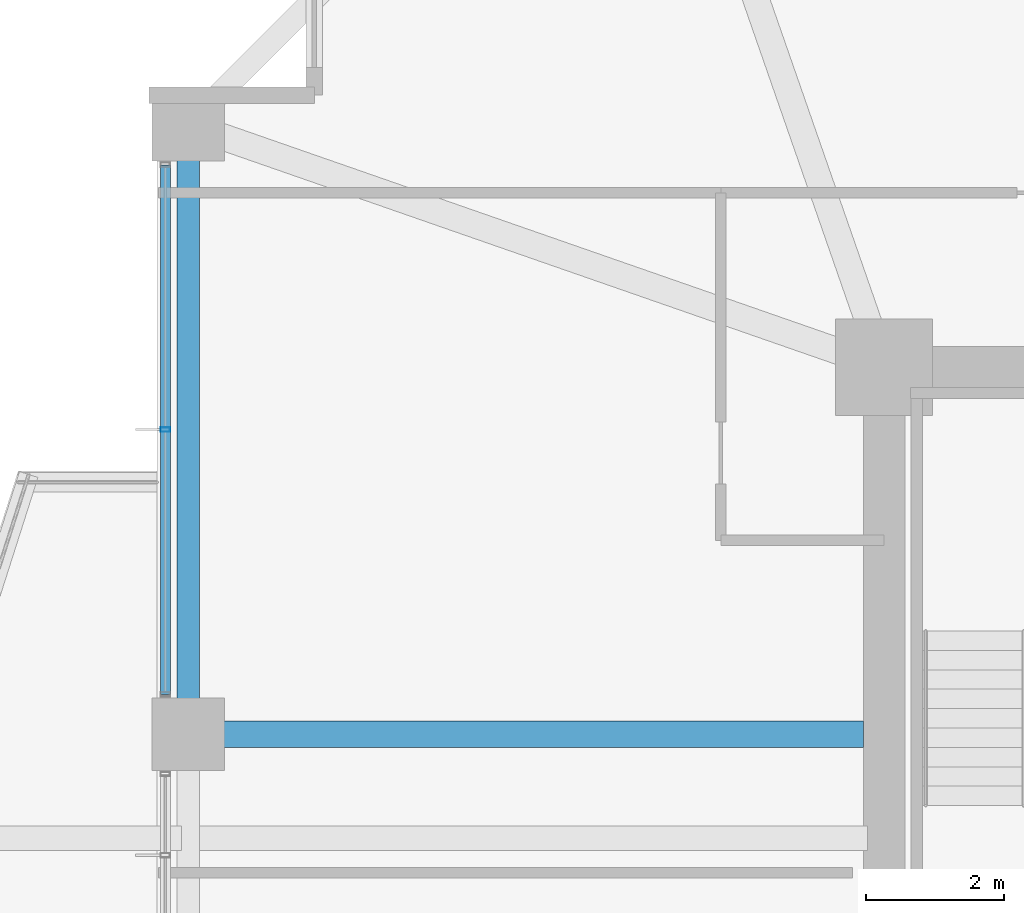
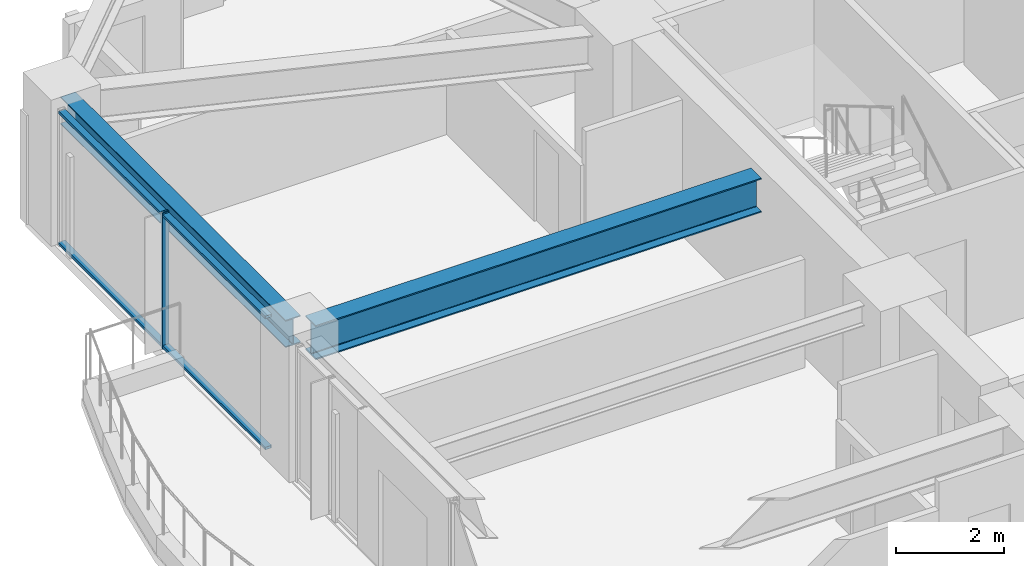
# One storey, part 10 of 36: 3 members, 2 beams, 1 element without a shape of its own.
"""IFC4 building model written with IfcOpenShell, lengths in metres."""

from ifc_helpers import new_model, si_unit, direction, frame, origin, origin_2d, place, context, subcontext, project, spatial, hollow_rectangle, i_section, extrude, material, material_profile, profile_set, type_object, element, aggregate, save


model = new_model("IFC4")

# Units and contexts
model_context = context("Model", 3, precision=1e-05, world=origin(), true_north=direction((0.0, 1.0)))
body_context = subcontext(model_context, "Body", "Model", "MODEL_VIEW")
ifc_project = project(units=[si_unit("LENGTHUNIT", "METRE"), si_unit("AREAUNIT", "SQUARE_METRE"), si_unit("VOLUMEUNIT", "CUBIC_METRE"), si_unit("PLANEANGLEUNIT", "RADIAN"), si_unit("MASSUNIT", "GRAM", prefix="KILO")], contexts=[model_context])

# Site, building, storey
site_placement = place(None, origin())
site = spatial("IfcSite", under=ifc_project, at=site_placement, CompositionType="ELEMENT")
building_placement = place(site_placement, origin())
building = spatial("IfcBuilding", under=site, at=building_placement, Name="Kolvaren Belvedere", CompositionType="ELEMENT")
storey_placement = place(building_placement, frame((0.0, 0.0, 88.699951171875)))
storey = spatial("IfcBuildingStorey", under=building, at=storey_placement, Name="L25", CompositionType="ELEMENT", Elevation=88.699951171875)

# Beams
ifc_material_1 = material(Name="Structural steel ASTM A992 Grade 50", Category="steel")
ifc_material_profile_1 = material_profile(ifc_material_1, i_section(OverallWidth=0.381103515625, OverallDepth=0.77294921875, WebThickness=0.0166015625, FlangeThickness=0.027099609375, FilletRadius=0.02392578125, at=origin_2d()), Name="W30X173")
ifc_profile_set_1 = profile_set([ifc_material_profile_1], Name="Structural steel ASTM A992 Grade 50")
beam_type_1 = type_object("IfcBeamType", Name="BM-GIRD-W30X173", PredefinedType="BEAM", material=ifc_profile_set_1)
beam_1_placement = place(storey_placement, frame((-10.199951171875, 4.60009765625, 2.693603515625), z_axis=(-1.0, 0.0, 0.0), x_axis=(0.0, -1.0, 0.0)))
element("IfcBeam", 1, at=beam_1_placement, inside=storey, type_object=beam_type_1, Name="L25 West Radial Girder P", PredefinedType="BEAM", context=body_context, shape_type="SweptSolid", body=[
    extrude(i_section(OverallWidth=0.381103515625, OverallDepth=0.77294921875, WebThickness=0.0166015625, FlangeThickness=0.027099609375, FilletRadius=0.02392578125, at=origin_2d()), origin(), (0.0, 0.0, 1.0), 9.513916015625),
])
ifc_material_2 = material(Name="Structural steel ASTM A992 Grade 50", Category="steel")
ifc_material_profile_2 = material_profile(ifc_material_2, i_section(OverallWidth=0.324951171875, OverallDepth=0.615966796875, WebThickness=0.013916015625, FlangeThickness=0.021484375, FilletRadius=0.02001953125, at=origin_2d()), Name="W24X117")
ifc_profile_set_2 = profile_set([ifc_material_profile_2], Name="Structural steel ASTM A992 Grade 50")
beam_type_2 = type_object("IfcBeamType", Name="BM-SPAN-W24X117", PredefinedType="SPANDREL", material=ifc_profile_set_2)
beam_2_placement = place(storey_placement, frame((-19.949951171875, 13.163818359375, 2.77197265625), z_axis=(0.0, -1.0, 0.0), x_axis=(1.0, 0.0, 0.0)))
element("IfcBeam", 2, at=beam_2_placement, inside=storey, type_object=beam_type_2, Name="L25 Perimeter Spandrel W4-W3", PredefinedType="SPANDREL", context=body_context, shape_type="SweptSolid", body=[
    extrude(i_section(OverallWidth=0.324951171875, OverallDepth=0.615966796875, WebThickness=0.013916015625, FlangeThickness=0.021484375, FilletRadius=0.02001953125, at=origin_2d()), origin(), (0.0, 0.0, 1.0), 8.32763671875),
])

# Curtain wall, members
ifc_material_3 = material(Name="Anodised pale-metal aluminium AA 6063-T6", Category="aluminium")
curtain_wall_type = type_object("IfcCurtainWallType", Name="CW-Z2-MID", PredefinedType="NOTDEFINED", material=ifc_material_3)
curtain_wall_placement = place(storey_placement, origin())
curtain_wall = element("IfcCurtainWall", 3, at=curtain_wall_placement, inside=storey, type_object=curtain_wall_type, Name="L25 Unitised Curtain Wall FCW-L25-W2-B2", PredefinedType="NOTDEFINED")
ifc_material_4 = material(Name="Anodised pale-metal aluminium AA 6063-T6", Category="aluminium")
ifc_material_profile_3 = material_profile(ifc_material_4, hollow_rectangle(XDim=0.06494140625, YDim=0.139892578125, WallThickness=0.00390625, at=origin_2d()), Name="ALU-MUL-140X65")
ifc_profile_set_3 = profile_set([ifc_material_profile_3], Name="Anodised pale-metal aluminium AA 6063-T6")
member_type_1 = type_object("IfcMemberType", Name="CW-MUL-140", PredefinedType="MULLION", material=ifc_profile_set_3)
member_1_placement = place(storey_placement, frame((-20.280029296875, 9.0, 0.0), z_axis=(0.0, 0.0, 1.0), x_axis=(0.0, 1.0, 0.0)))
member_1 = element("IfcMember", 4, at=member_1_placement, type_object=member_type_1, Name="FCW-L25-W2-B2 Unitised Mullion 2", PredefinedType="MULLION", context=body_context, shape_type="SweptSolid", body=[
    extrude(hollow_rectangle(XDim=0.06494140625, YDim=0.139892578125, WallThickness=0.00390625, at=origin_2d()), origin(), (0.0, 0.0, 1.0), 3.080078125),
])
ifc_material_5 = material(Name="Anodised pale-metal aluminium AA 6063-T6", Category="aluminium")
ifc_material_profile_4 = material_profile(ifc_material_5, hollow_rectangle(XDim=0.06005859375, YDim=0.139892578125, WallThickness=0.00390625, at=origin_2d()), Name="ALU-TRN-140X60")
ifc_profile_set_4 = profile_set([ifc_material_profile_4], Name="Anodised pale-metal aluminium AA 6063-T6")
member_type_2 = type_object("IfcMemberType", Name="CW-TRN-140", PredefinedType="USERDEFINED", material=ifc_profile_set_4)
member_2_placement = place(storey_placement, frame((-20.280029296875, 5.177490234375, 0.06005859375), z_axis=(0.0, 1.0, 0.0), x_axis=(0.0, 0.0, 1.0)))
member_2 = element("IfcMember", 5, at=member_2_placement, type_object=member_type_2, Name="FCW-L25-W2-B2 Sill Transom", ObjectType="TRANSOM", PredefinedType="USERDEFINED", context=body_context, shape_type="SweptSolid", body=[
    extrude(hollow_rectangle(XDim=0.06005859375, YDim=0.139892578125, WallThickness=0.00390625, at=origin_2d()), origin(), (0.0, 0.0, 1.0), 7.64501953125),
])
member_3_placement = place(storey_placement, frame((-20.280029296875, 5.177490234375, 3.02001953125), z_axis=(0.0, 1.0, 0.0), x_axis=(0.0, 0.0, 1.0)))
member_3 = element("IfcMember", 6, at=member_3_placement, type_object=member_type_2, Name="FCW-L25-W2-B2 Head Transom", ObjectType="TRANSOM", PredefinedType="USERDEFINED", context=body_context, shape_type="SweptSolid", body=[
    extrude(hollow_rectangle(XDim=0.06005859375, YDim=0.139892578125, WallThickness=0.00390625, at=origin_2d()), origin(), (0.0, 0.0, 1.0), 7.64501953125),
])
aggregate(curtain_wall, [member_1, member_2, member_3])

save(model, "model.ifc")
